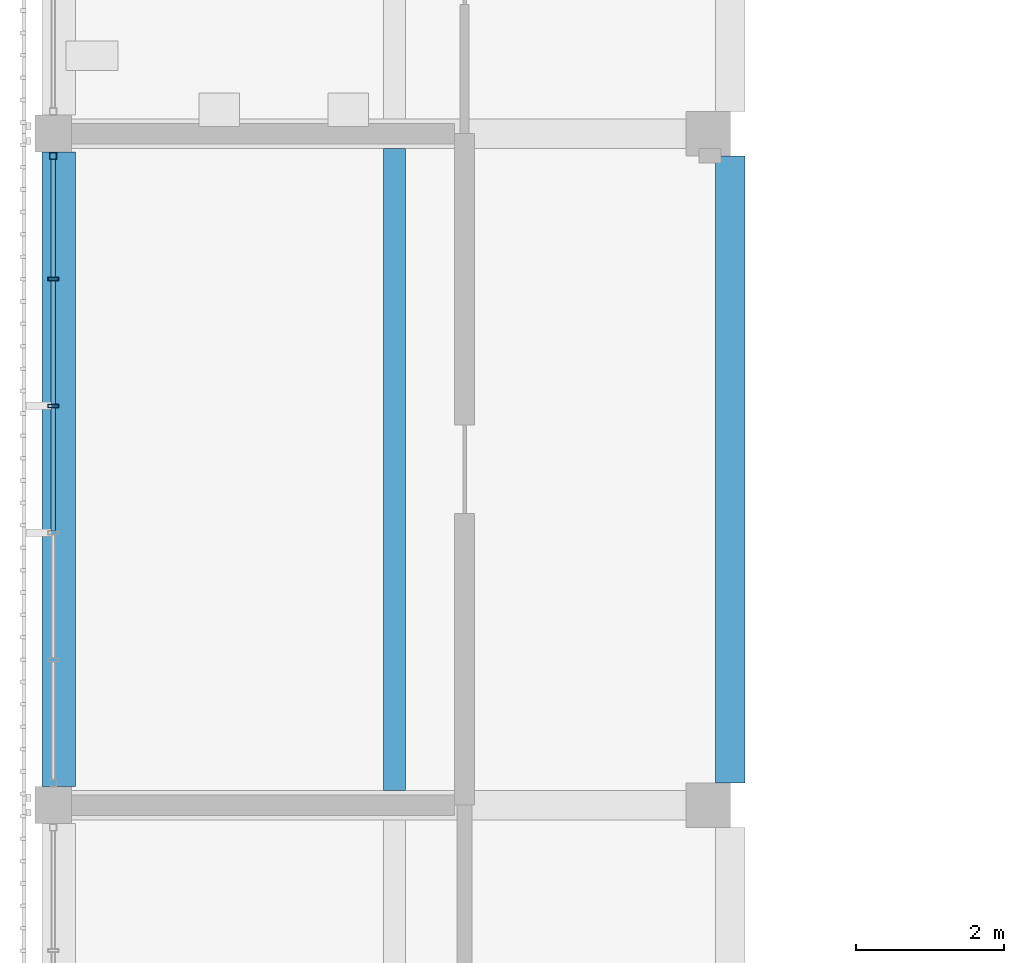
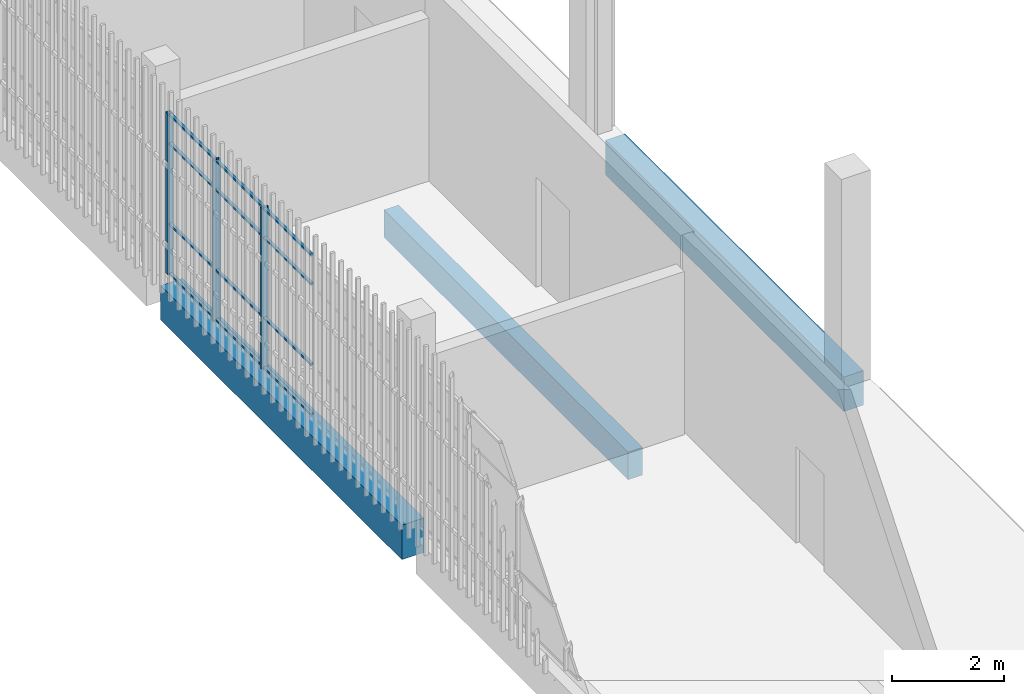
# One storey, part 19 of 124: 15 members, 3 beams, 1 element without a shape of its own.
"""IFC4 building model written with IfcOpenShell, lengths in metres."""

from ifc_helpers import new_model, si_unit, direction, frame, origin, origin_2d, place, context, subcontext, project, spatial, rectangle, hollow_rectangle, extrude, material, layer, layer_set, material_profile, profile_set, type_object, element, aggregate, save


model = new_model("IFC4")

# Units and contexts
model_context = context("Model", 3, precision=1e-05, world=origin(), true_north=direction((0.0, 1.0)))
body_context = subcontext(model_context, "Body", "Model", "MODEL_VIEW")
ifc_project = project(units=[si_unit("LENGTHUNIT", "METRE"), si_unit("AREAUNIT", "SQUARE_METRE"), si_unit("VOLUMEUNIT", "CUBIC_METRE"), si_unit("PLANEANGLEUNIT", "RADIAN"), si_unit("MASSUNIT", "GRAM", prefix="KILO")], contexts=[model_context])

# Site, building, storey
site_placement = place(None, origin())
site = spatial("IfcSite", under=ifc_project, at=site_placement, CompositionType="ELEMENT")
building_placement = place(site_placement, origin())
building = spatial("IfcBuilding", under=site, at=building_placement, Name="Shirokan Park Arena", CompositionType="ELEMENT")
storey_placement = place(building_placement, frame((0.0, 0.0, 20.02001953125)))
storey = spatial("IfcBuildingStorey", under=building, at=storey_placement, Name="L04", CompositionType="ELEMENT", Elevation=20.02001953125)

# Curtain wall, members
ifc_material_1 = material(Name="Steel and glass curtain wall", Category="steel")
ifc_layer = layer(ifc_material_1, 0.14990234375)
ifc_layer_set = layer_set([ifc_layer], Name="Steel and glass curtain wall 150 mm")
curtain_wall_type = type_object("IfcCurtainWallType", Name="Curtain wall exposed bay 150", PredefinedType="NOTDEFINED", material=ifc_layer_set)
curtain_wall_placement = place(storey_placement, origin())
curtain_wall = element("IfcCurtainWall", 1, at=curtain_wall_placement, inside=storey, type_object=curtain_wall_type, Name="Curtain wall west bay 6 L04", PredefinedType="NOTDEFINED")
ifc_material_2 = material(Name="Steel S355", Category="steel")
ifc_material_profile_1 = material_profile(ifc_material_2, hollow_rectangle(XDim=0.10009765625, YDim=0.10009765625, WallThickness=0.006103515625, at=origin_2d()), Name="RHS 100x100x6")
ifc_profile_set_1 = profile_set([ifc_material_profile_1], Name="Steel S355")
member_type_1 = type_object("IfcMemberType", Name="Mullion RHS 100x100x6", PredefinedType="MULLION", material=ifc_profile_set_1)
member_1_placement = place(storey_placement, frame((-0.074951171875, 63.39990234375, 0.0), z_axis=(0.0, 0.0, 1.0), x_axis=(1.0, 0.0, 0.0)))
member_1 = element("IfcMember", 2, at=member_1_placement, type_object=member_type_1, Name="CW1 mullion 1", PredefinedType="MULLION", context=body_context, shape_type="SweptSolid", body=[
    extrude(hollow_rectangle(XDim=0.10009765625, YDim=0.10009765625, WallThickness=0.006103515625, at=origin_2d()), origin(), (0.0, 0.0, 1.0), 3.5),
])
ifc_material_profile_2 = material_profile(ifc_material_2, hollow_rectangle(XDim=0.14990234375, YDim=0.050048828125, WallThickness=0.006103515625, at=origin_2d()), Name="RHS 150x50x6")
ifc_profile_set_2 = profile_set([ifc_material_profile_2], Name="Steel S355")
member_type_2 = type_object("IfcMemberType", Name="Mullion RHS 150x50x6", PredefinedType="MULLION", material=ifc_profile_set_2)
member_2_placement = place(storey_placement, frame((-0.074951171875, 61.72998046875, 0.0), z_axis=(0.0, 0.0, 1.0), x_axis=(1.0, 0.0, 0.0)))
member_2 = element("IfcMember", 3, at=member_2_placement, type_object=member_type_2, Name="CW1 mullion 2", PredefinedType="MULLION", context=body_context, shape_type="SweptSolid", body=[
    extrude(hollow_rectangle(XDim=0.14990234375, YDim=0.050048828125, WallThickness=0.006103515625, at=origin_2d()), origin(), (0.0, 0.0, 1.0), 3.5),
])
member_3_placement = place(storey_placement, frame((-0.074951171875, 60.010009765625, 0.0), z_axis=(0.0, 0.0, 1.0), x_axis=(1.0, 0.0, 0.0)))
member_3 = element("IfcMember", 4, at=member_3_placement, type_object=member_type_2, Name="CW1 mullion 3", PredefinedType="MULLION", context=body_context, shape_type="SweptSolid", body=[
    extrude(hollow_rectangle(XDim=0.14990234375, YDim=0.050048828125, WallThickness=0.006103515625, at=origin_2d()), origin(), (0.0, 0.0, 1.0), 3.5),
])

# Beams
ifc_material_3 = material(Name="Concrete C35", Category="concrete")
ifc_material_profile_3 = material_profile(ifc_material_3, rectangle(XDim=0.39990234375, YDim=0.75, at=origin_2d()), Name="400x750")
ifc_profile_set_3 = profile_set([ifc_material_profile_3], Name="Concrete C35")
beam_type_1 = type_object("IfcBeamType", Name="RC girder 400x750", PredefinedType="BEAM", material=ifc_profile_set_3)
beam_1_placement = place(storey_placement, frame((9.10009765625, 54.900146484375, -0.625), z_axis=(0.0, 1.0, 0.0), x_axis=(-1.0, 0.0, 0.0)))
element("IfcBeam", 5, at=beam_1_placement, inside=storey, type_object=beam_type_1, Name="Girder 2G-2H L04", PredefinedType="BEAM", context=body_context, shape_type="SweptSolid", body=[
    extrude(rectangle(XDim=0.39990234375, YDim=0.75, at=origin_2d()), origin(), (0.0, 0.0, 1.0), 8.499755859375),
])
ifc_material_profile_4 = material_profile(ifc_material_3, rectangle(XDim=0.449951171875, YDim=0.75, at=origin_2d()), Name="450x750")
ifc_profile_set_4 = profile_set([ifc_material_profile_4], Name="Concrete C35")
beam_type_2 = type_object("IfcBeamType", Name="RC girder 450x750", PredefinedType="BEAM", material=ifc_profile_set_4)
beam_2_placement = place(storey_placement, frame((0.0, 54.85009765625, -0.625), z_axis=(0.0, 1.0, 0.0), x_axis=(-1.0, 0.0, 0.0)))
element("IfcBeam", 6, at=beam_2_placement, inside=storey, type_object=beam_type_2, Name="Girder 1G-1H L04", PredefinedType="BEAM", context=body_context, shape_type="SweptSolid", body=[
    extrude(rectangle(XDim=0.449951171875, YDim=0.75, at=origin_2d()), origin(), (0.0, 0.0, 1.0), 8.599853515625),
])
ifc_material_profile_5 = material_profile(ifc_material_3, rectangle(XDim=0.300048828125, YDim=0.60009765625, at=origin_2d()), Name="300x600")
ifc_profile_set_5 = profile_set([ifc_material_profile_5], Name="Concrete C35")
beam_type_3 = type_object("IfcBeamType", Name="RC joist 300x600", PredefinedType="JOIST", material=ifc_profile_set_5)
beam_3_placement = place(storey_placement, frame((4.550048828125, 54.800048828125, -0.550048828125), z_axis=(0.0, 1.0, 0.0), x_axis=(-1.0, 0.0, 0.0)))
element("IfcBeam", 7, at=beam_3_placement, inside=storey, type_object=beam_type_3, Name="Joist 1G L04", PredefinedType="JOIST", context=body_context, shape_type="SweptSolid", body=[
    extrude(rectangle(XDim=0.300048828125, YDim=0.60009765625, at=origin_2d()), origin(), (0.0, 0.0, 1.0), 8.699951171875),
])

# Member
ifc_material_profile_6 = material_profile(ifc_material_2, hollow_rectangle(XDim=0.06005859375, YDim=0.0400390625, WallThickness=0.00390625, at=origin_2d()), Name="RHS 60x40x4")
ifc_profile_set_6 = profile_set([ifc_material_profile_6], Name="Steel S355")
member_type_3 = type_object("IfcMemberType", Name="Transom RHS 60x40x4", PredefinedType="MULLION", material=ifc_profile_set_6)
member_4_placement = place(storey_placement, frame((-0.074951171875, 63.35009765625, 0.02001953125), z_axis=(0.0, -1.0, 0.0), x_axis=(1.0, 0.0, 0.0)))
member_4 = element("IfcMember", 8, at=member_4_placement, type_object=member_type_3, Name="CW1 transom 1.1", PredefinedType="MULLION", context=body_context, shape_type="SweptSolid", body=[
    extrude(hollow_rectangle(XDim=0.06005859375, YDim=0.0400390625, WallThickness=0.00390625, at=origin_2d()), origin(), (0.0, 0.0, 1.0), 1.59521484375),
])

member_5_placement = place(storey_placement, frame((-0.074951171875, 63.35009765625, 1.10009765625), z_axis=(0.0, -1.0, 0.0), x_axis=(1.0, 0.0, 0.0)))
member_5 = element("IfcMember", 9, at=member_5_placement, type_object=member_type_3, Name="CW1 transom 1.2", PredefinedType="MULLION", context=body_context, shape_type="SweptSolid", body=[
    extrude(hollow_rectangle(XDim=0.06005859375, YDim=0.0400390625, WallThickness=0.00390625, at=origin_2d()), origin(), (0.0, 0.0, 1.0), 1.59521484375),
])

member_6_placement = place(storey_placement, frame((-0.074951171875, 63.35009765625, 2.85009765625), z_axis=(0.0, -1.0, 0.0), x_axis=(1.0, 0.0, 0.0)))
member_6 = element("IfcMember", 10, at=member_6_placement, type_object=member_type_3, Name="CW1 transom 1.3", PredefinedType="MULLION", context=body_context, shape_type="SweptSolid", body=[
    extrude(hollow_rectangle(XDim=0.06005859375, YDim=0.0400390625, WallThickness=0.00390625, at=origin_2d()), origin(), (0.0, 0.0, 1.0), 1.59521484375),
])

member_7_placement = place(storey_placement, frame((-0.074951171875, 63.35009765625, 3.47998046875), z_axis=(0.0, -1.0, 0.0), x_axis=(1.0, 0.0, 0.0)))
member_7 = element("IfcMember", 11, at=member_7_placement, type_object=member_type_3, Name="CW1 transom 1.4", PredefinedType="MULLION", context=body_context, shape_type="SweptSolid", body=[
    extrude(hollow_rectangle(XDim=0.06005859375, YDim=0.0400390625, WallThickness=0.00390625, at=origin_2d()), origin(), (0.0, 0.0, 1.0), 1.59521484375),
])

member_8_placement = place(storey_placement, frame((-0.074951171875, 61.705078125, 0.02001953125), z_axis=(0.0, -1.0, 0.0), x_axis=(1.0, 0.0, 0.0)))
member_8 = element("IfcMember", 12, at=member_8_placement, type_object=member_type_3, Name="CW1 transom 2.1", PredefinedType="MULLION", context=body_context, shape_type="SweptSolid", body=[
    extrude(hollow_rectangle(XDim=0.06005859375, YDim=0.0400390625, WallThickness=0.00390625, at=origin_2d()), origin(), (0.0, 0.0, 1.0), 1.670166015625),
])

member_9_placement = place(storey_placement, frame((-0.074951171875, 61.705078125, 1.10009765625), z_axis=(0.0, -1.0, 0.0), x_axis=(1.0, 0.0, 0.0)))
member_9 = element("IfcMember", 13, at=member_9_placement, type_object=member_type_3, Name="CW1 transom 2.2", PredefinedType="MULLION", context=body_context, shape_type="SweptSolid", body=[
    extrude(hollow_rectangle(XDim=0.06005859375, YDim=0.0400390625, WallThickness=0.00390625, at=origin_2d()), origin(), (0.0, 0.0, 1.0), 1.670166015625),
])

member_10_placement = place(storey_placement, frame((-0.074951171875, 61.705078125, 2.85009765625), z_axis=(0.0, -1.0, 0.0), x_axis=(1.0, 0.0, 0.0)))
member_10 = element("IfcMember", 14, at=member_10_placement, type_object=member_type_3, Name="CW1 transom 2.3", PredefinedType="MULLION", context=body_context, shape_type="SweptSolid", body=[
    extrude(hollow_rectangle(XDim=0.06005859375, YDim=0.0400390625, WallThickness=0.00390625, at=origin_2d()), origin(), (0.0, 0.0, 1.0), 1.670166015625),
])

member_11_placement = place(storey_placement, frame((-0.074951171875, 61.705078125, 3.47998046875), z_axis=(0.0, -1.0, 0.0), x_axis=(1.0, 0.0, 0.0)))
member_11 = element("IfcMember", 15, at=member_11_placement, type_object=member_type_3, Name="CW1 transom 2.4", PredefinedType="MULLION", context=body_context, shape_type="SweptSolid", body=[
    extrude(hollow_rectangle(XDim=0.06005859375, YDim=0.0400390625, WallThickness=0.00390625, at=origin_2d()), origin(), (0.0, 0.0, 1.0), 1.670166015625),
])

member_12_placement = place(storey_placement, frame((-0.074951171875, 59.985107421875, 0.02001953125), z_axis=(0.0, -1.0, 0.0), x_axis=(1.0, 0.0, 0.0)))
member_12 = element("IfcMember", 16, at=member_12_placement, type_object=member_type_3, Name="CW1 transom 3.1", PredefinedType="MULLION", context=body_context, shape_type="SweptSolid", body=[
    extrude(hollow_rectangle(XDim=0.06005859375, YDim=0.0400390625, WallThickness=0.00390625, at=origin_2d()), origin(), (0.0, 0.0, 1.0), 1.670166015625),
])

member_13_placement = place(storey_placement, frame((-0.074951171875, 59.985107421875, 1.10009765625), z_axis=(0.0, -1.0, 0.0), x_axis=(1.0, 0.0, 0.0)))
member_13 = element("IfcMember", 17, at=member_13_placement, type_object=member_type_3, Name="CW1 transom 3.2", PredefinedType="MULLION", context=body_context, shape_type="SweptSolid", body=[
    extrude(hollow_rectangle(XDim=0.06005859375, YDim=0.0400390625, WallThickness=0.00390625, at=origin_2d()), origin(), (0.0, 0.0, 1.0), 1.670166015625),
])

member_14_placement = place(storey_placement, frame((-0.074951171875, 59.985107421875, 2.85009765625), z_axis=(0.0, -1.0, 0.0), x_axis=(1.0, 0.0, 0.0)))
member_14 = element("IfcMember", 18, at=member_14_placement, type_object=member_type_3, Name="CW1 transom 3.3", PredefinedType="MULLION", context=body_context, shape_type="SweptSolid", body=[
    extrude(hollow_rectangle(XDim=0.06005859375, YDim=0.0400390625, WallThickness=0.00390625, at=origin_2d()), origin(), (0.0, 0.0, 1.0), 1.670166015625),
])

member_15_placement = place(storey_placement, frame((-0.074951171875, 59.985107421875, 3.47998046875), z_axis=(0.0, -1.0, 0.0), x_axis=(1.0, 0.0, 0.0)))
member_15 = element("IfcMember", 19, at=member_15_placement, type_object=member_type_3, Name="CW1 transom 3.4", PredefinedType="MULLION", context=body_context, shape_type="SweptSolid", body=[
    extrude(hollow_rectangle(XDim=0.06005859375, YDim=0.0400390625, WallThickness=0.00390625, at=origin_2d()), origin(), (0.0, 0.0, 1.0), 1.670166015625),
])

aggregate(curtain_wall, [member_1, member_2, member_3, member_4, member_5, member_6, member_7, member_8, member_9, member_10, member_11, member_12, member_13, member_14, member_15])

save(model, "model.ifc")
